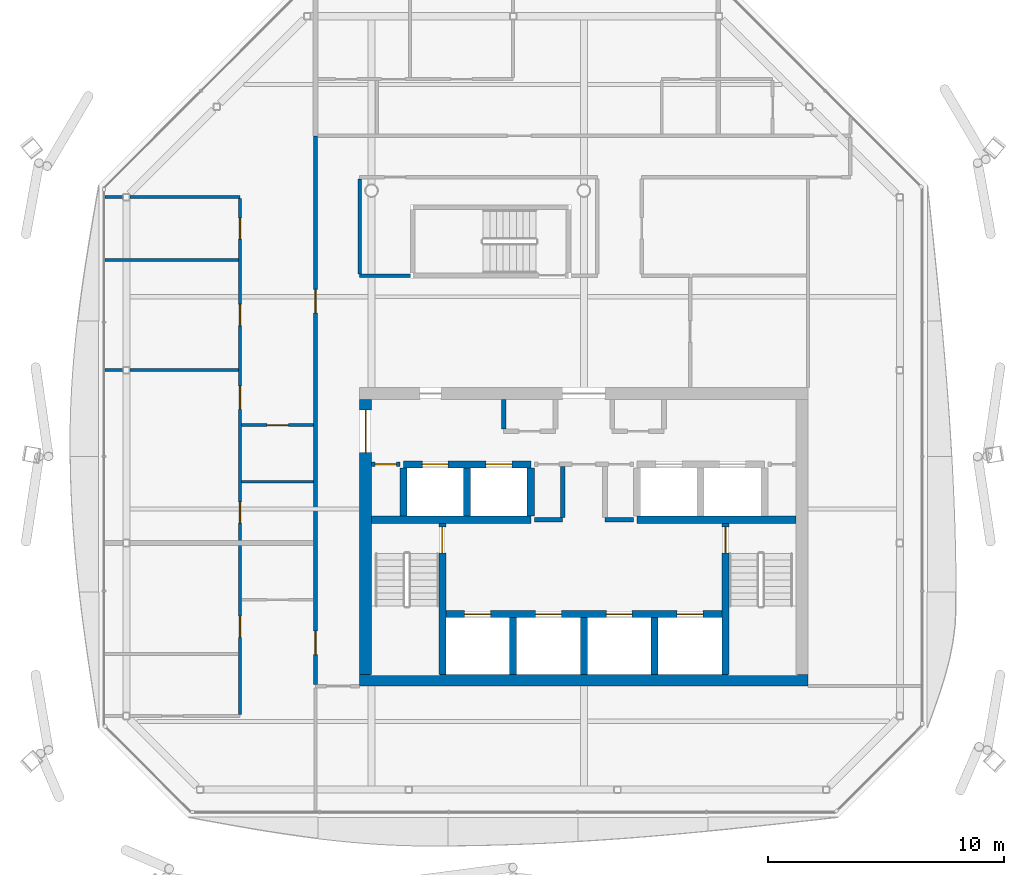
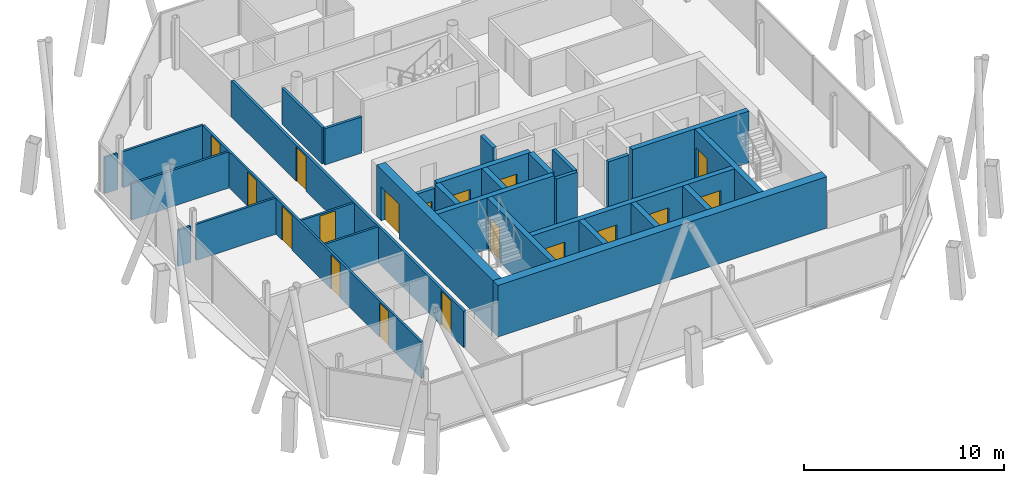
# One storey, part 10 of 16: 30 walls, 18 doors, 18 openings.
"""IFC4 building model written with IfcOpenShell, lengths in metres."""

from ifc_helpers import new_model, si_unit, direction, frame, frame_2d, origin, place, context, subcontext, project, spatial, rectangle, extrude, material, layer, layer_set, type_object, element, fill, save


model = new_model("IFC4")

# Units and contexts
model_context = context("Model", 3, precision=1e-05, world=origin(), true_north=direction((0.0, 1.0)))
body_context = subcontext(model_context, "Body", "Model", "MODEL_VIEW")
ifc_project = project(units=[si_unit("LENGTHUNIT", "METRE"), si_unit("AREAUNIT", "SQUARE_METRE"), si_unit("VOLUMEUNIT", "CUBIC_METRE"), si_unit("PLANEANGLEUNIT", "RADIAN"), si_unit("MASSUNIT", "GRAM", prefix="KILO")], contexts=[model_context])

# Site, building, storey
site_placement = place(None, origin())
site = spatial("IfcSite", under=ifc_project, at=site_placement, CompositionType="ELEMENT")
building_placement = place(site_placement, origin())
building = spatial("IfcBuilding", under=site, at=building_placement, Name="Tskaro Facet Tower", CompositionType="ELEMENT")
storey_placement = place(building_placement, frame((0.0, 0.0, 245.550048828125)))
storey = spatial("IfcBuildingStorey", under=building, at=storey_placement, Name="L64", CompositionType="ELEMENT", Elevation=245.550048828125)

# Wall, openings, doors
ifc_material_1 = material(Name="Concrete C60/75", Category="concrete")
ifc_layer_1 = layer(ifc_material_1, 0.300048828125, Name="Concrete C60/75")
ifc_layer_set_1 = layer_set([ifc_layer_1], Name="Concrete C60/75")
wall_type_1 = type_object("IfcWallType", Name="CORE-SHAFT", PredefinedType="SHEAR", material=ifc_layer_set_1)
wall_1_placement = place(storey_placement, frame((-5.85009765625, -8.949951171875, 0.0), z_axis=(0.0, 0.0, 1.0), x_axis=(1.0, 0.0, 0.0)))
wall_1 = element("IfcWall", 1, at=wall_1_placement, inside=storey, type_object=wall_type_1, Name="Shaft wall W006", PredefinedType="SHEAR", context=body_context, shape_type="SweptSolid", body=[
    extrude(rectangle(XDim=11.7001953125, YDim=0.300048828125, at=frame_2d((5.85009765625, 0.0))), origin(), (0.0, 0.0, 1.0), 3.14990234375),
])
opening_1_placement = place(wall_1_placement, frame((0.800048828125, 0.0, 0.0)))
opening_1 = element("IfcOpeningElement", 2, at=opening_1_placement, cuts=wall_1, Name="Opening LD-FF1", PredefinedType="OPENING", context=body_context, shape_type="SweptSolid", body=[
    extrude(rectangle(XDim=1.10009765625, YDim=2.10009765625, at=frame_2d((0.550048828125, 1.050048828125))), frame((0.0, 0.159912109375, 0.0), z_axis=(0.0, -1.0, 0.0), x_axis=(1.0, 0.0, 0.0)), (0.0, 0.0, 1.0), 0.320068359375),
])
opening_2_placement = place(wall_1_placement, frame((3.800048828125, 0.0, 0.0)))
opening_2 = element("IfcOpeningElement", 3, at=opening_2_placement, cuts=wall_1, Name="Opening LD-FF2", PredefinedType="OPENING", context=body_context, shape_type="SweptSolid", body=[
    extrude(rectangle(XDim=1.10009765625, YDim=2.10009765625, at=frame_2d((0.550048828125, 1.050048828125))), frame((0.0, 0.159912109375, 0.0), z_axis=(0.0, -1.0, 0.0), x_axis=(1.0, 0.0, 0.0)), (0.0, 0.0, 1.0), 0.320068359375),
])
opening_3_placement = place(wall_1_placement, frame((6.800048828125, 0.0, 0.0)))
opening_3 = element("IfcOpeningElement", 4, at=opening_3_placement, cuts=wall_1, Name="Opening LD-SV1", PredefinedType="OPENING", context=body_context, shape_type="SweptSolid", body=[
    extrude(rectangle(XDim=1.10009765625, YDim=2.10009765625, at=frame_2d((0.550048828125, 1.050048828125))), frame((0.0, 0.159912109375, 0.0), z_axis=(0.0, -1.0, 0.0), x_axis=(1.0, 0.0, 0.0)), (0.0, 0.0, 1.0), 0.320068359375),
])
opening_4_placement = place(wall_1_placement, frame((9.800048828125, 0.0, 0.0)))
opening_4 = element("IfcOpeningElement", 5, at=opening_4_placement, cuts=wall_1, Name="Opening LD-SV2", PredefinedType="OPENING", context=body_context, shape_type="SweptSolid", body=[
    extrude(rectangle(XDim=1.10009765625, YDim=2.10009765625, at=frame_2d((0.550048828125, 1.050048828125))), frame((0.0, 0.159912109375, 0.0), z_axis=(0.0, -1.0, 0.0), x_axis=(1.0, 0.0, 0.0)), (0.0, 0.0, 1.0), 0.320068359375),
])
ifc_material_2 = material(Name="Stainless steel", Category="steel")
door_type_1 = type_object("IfcDoorType", Name="D-LANDING", OperationType="NOTDEFINED", PredefinedType="DOOR", material=ifc_material_2)
door_1_placement = place(opening_1_placement, origin())
door_1 = element("IfcDoor", 6, at=door_1_placement, inside=storey, type_object=door_type_1, Name="Landing door FF1", OperationType="DOUBLE_DOOR_SLIDING", OverallHeight=2.10009765625, OverallWidth=1.10009765625, PredefinedType="DOOR", context=body_context, shape_type="SweptSolid", body=[
    extrude(rectangle(XDim=1.10009765625, YDim=2.10009765625, at=frame_2d((0.550048828125, 1.050048828125))), frame((0.0, 0.02490234375, 0.0), z_axis=(0.0, -1.0, 0.0), x_axis=(1.0, 0.0, 0.0)), (0.0, 0.0, 1.0), 0.050048828125),
])
fill(opening_1, door_1)
door_2_placement = place(opening_2_placement, origin())
door_2 = element("IfcDoor", 7, at=door_2_placement, inside=storey, type_object=door_type_1, Name="Landing door FF2", OperationType="DOUBLE_DOOR_SLIDING", OverallHeight=2.10009765625, OverallWidth=1.10009765625, PredefinedType="DOOR", context=body_context, shape_type="SweptSolid", body=[
    extrude(rectangle(XDim=1.10009765625, YDim=2.10009765625, at=frame_2d((0.550048828125, 1.050048828125))), frame((0.0, 0.02490234375, 0.0), z_axis=(0.0, -1.0, 0.0), x_axis=(1.0, 0.0, 0.0)), (0.0, 0.0, 1.0), 0.050048828125),
])
fill(opening_2, door_2)
door_3_placement = place(opening_3_placement, origin())
door_3 = element("IfcDoor", 8, at=door_3_placement, inside=storey, type_object=door_type_1, Name="Landing door SV1", OperationType="DOUBLE_DOOR_SLIDING", OverallHeight=2.10009765625, OverallWidth=1.10009765625, PredefinedType="DOOR", context=body_context, shape_type="SweptSolid", body=[
    extrude(rectangle(XDim=1.10009765625, YDim=2.10009765625, at=frame_2d((0.550048828125, 1.050048828125))), frame((0.0, 0.02490234375, 0.0), z_axis=(0.0, -1.0, 0.0), x_axis=(1.0, 0.0, 0.0)), (0.0, 0.0, 1.0), 0.050048828125),
])
fill(opening_3, door_3)
door_4_placement = place(opening_4_placement, origin())
door_4 = element("IfcDoor", 9, at=door_4_placement, inside=storey, type_object=door_type_1, Name="Landing door SV2", OperationType="DOUBLE_DOOR_SLIDING", OverallHeight=2.10009765625, OverallWidth=1.10009765625, PredefinedType="DOOR", context=body_context, shape_type="SweptSolid", body=[
    extrude(rectangle(XDim=1.10009765625, YDim=2.10009765625, at=frame_2d((0.550048828125, 1.050048828125))), frame((0.0, 0.02490234375, 0.0), z_axis=(0.0, -1.0, 0.0), x_axis=(1.0, 0.0, 0.0)), (0.0, 0.0, 1.0), 0.050048828125),
])
fill(opening_4, door_4)

# Walls
for number, where, z_axis, x_axis, name in (
    (10, (-9.0, -4.949951171875, 0.0), (0.0, 0.0, 1.0), (1.0, 0.0, 0.0), "Shaft wall W010"),
    (11, (2.25, -4.949951171875, 0.0), (0.0, 0.0, 1.0), (1.0, 0.0, 0.0), "Shaft wall W013"),
):
    element("IfcWall", number, at=place(storey_placement, frame(where, z_axis=z_axis, x_axis=x_axis)), inside=storey, type_object=wall_type_1, Name=name, PredefinedType="SHEAR", context=body_context, shape_type="SweptSolid", body=[
        extrude(rectangle(XDim=6.75, YDim=0.300048828125, at=frame_2d((3.375, 0.0))), origin(), (0.0, 0.0, 1.0), 3.14990234375),
    ])

# Wall, openings, doors
wall_2_placement = place(storey_placement, frame((-7.64990234375, -2.60009765625, 0.0), z_axis=(0.0, 0.0, 1.0), x_axis=(1.0, 0.0, 0.0)))
wall_2 = element("IfcWall", 12, at=wall_2_placement, inside=storey, type_object=wall_type_1, Name="Shaft wall W016", PredefinedType="SHEAR", context=body_context, shape_type="SweptSolid", body=[
    extrude(rectangle(XDim=5.39990234375, YDim=0.300048828125, at=frame_2d((2.699951171875, 0.0))), origin(), (0.0, 0.0, 1.0), 3.14990234375),
])
opening_5_placement = place(wall_2_placement, frame((0.800048828125, 0.0, 0.0)))
opening_5 = element("IfcOpeningElement", 13, at=opening_5_placement, cuts=wall_2, Name="Opening LD-HB1", PredefinedType="OPENING", context=body_context, shape_type="SweptSolid", body=[
    extrude(rectangle(XDim=1.10009765625, YDim=2.10009765625, at=frame_2d((0.550048828125, 1.050048828125))), frame((0.0, 0.159912109375, 0.0), z_axis=(0.0, -1.0, 0.0), x_axis=(1.0, 0.0, 0.0)), (0.0, 0.0, 1.0), 0.320068359375),
])
opening_6_placement = place(wall_2_placement, frame((3.5, 0.0, 0.0)))
opening_6 = element("IfcOpeningElement", 14, at=opening_6_placement, cuts=wall_2, Name="Opening LD-HB2", PredefinedType="OPENING", context=body_context, shape_type="SweptSolid", body=[
    extrude(rectangle(XDim=1.10009765625, YDim=2.10009765625, at=frame_2d((0.550048828125, 1.050048828125))), frame((0.0, 0.159912109375, 0.0), z_axis=(0.0, -1.0, 0.0), x_axis=(1.0, 0.0, 0.0)), (0.0, 0.0, 1.0), 0.320068359375),
])
door_5_placement = place(opening_5_placement, origin())
door_5 = element("IfcDoor", 15, at=door_5_placement, inside=storey, type_object=door_type_1, Name="Landing door HB1", OperationType="DOUBLE_DOOR_SLIDING", OverallHeight=2.10009765625, OverallWidth=1.10009765625, PredefinedType="DOOR", context=body_context, shape_type="SweptSolid", body=[
    extrude(rectangle(XDim=1.10009765625, YDim=2.10009765625, at=frame_2d((0.550048828125, 1.050048828125))), frame((0.0, 0.02490234375, 0.0), z_axis=(0.0, -1.0, 0.0), x_axis=(1.0, 0.0, 0.0)), (0.0, 0.0, 1.0), 0.050048828125),
])
fill(opening_5, door_5)
door_6_placement = place(opening_6_placement, origin())
door_6 = element("IfcDoor", 16, at=door_6_placement, inside=storey, type_object=door_type_1, Name="Landing door HB2", OperationType="DOUBLE_DOOR_SLIDING", OverallHeight=2.10009765625, OverallWidth=1.10009765625, PredefinedType="DOOR", context=body_context, shape_type="SweptSolid", body=[
    extrude(rectangle(XDim=1.10009765625, YDim=2.10009765625, at=frame_2d((0.550048828125, 1.050048828125))), frame((0.0, 0.02490234375, 0.0), z_axis=(0.0, -1.0, 0.0), x_axis=(1.0, 0.0, 0.0)), (0.0, 0.0, 1.0), 0.050048828125),
])
fill(opening_6, door_6)

# Wall
wall_3_placement = place(storey_placement, frame((-7.64990234375, -4.800048828125, 0.0), z_axis=(0.0, 0.0, 1.0), x_axis=(0.0, 1.0, 0.0)))
element("IfcWall", 17, at=wall_3_placement, inside=storey, type_object=wall_type_1, Name="Shaft wall W045", PredefinedType="SHEAR", context=body_context, shape_type="SweptSolid", body=[
    extrude(rectangle(XDim=2.050048828125, YDim=0.300048828125, at=frame_2d((1.02490234375, 0.0))), origin(), (0.0, 0.0, 1.0), 3.14990234375),
])

# Wall, opening, door
wall_4_placement = place(storey_placement, frame((-6.0, -11.5, 0.0), z_axis=(0.0, 0.0, 1.0), x_axis=(0.0, 1.0, 0.0)))
wall_4 = element("IfcWall", 18, at=wall_4_placement, inside=storey, type_object=wall_type_1, Name="Shaft wall W048", PredefinedType="SHEAR", context=body_context, shape_type="SweptSolid", body=[
    extrude(rectangle(XDim=6.39990234375, YDim=0.300048828125, at=frame_2d((3.199951171875, 0.0))), origin(), (0.0, 0.0, 1.0), 3.14990234375),
])
opening_7_placement = place(wall_4_placement, frame((5.14990234375, 0.0, 0.0)))
opening_7 = element("IfcOpeningElement", 19, at=opening_7_placement, cuts=wall_4, Name="Opening ST-1-D1", PredefinedType="OPENING", context=body_context, shape_type="SweptSolid", body=[
    extrude(rectangle(XDim=1.10009765625, YDim=2.10009765625, at=frame_2d((0.550048828125, 1.050048828125))), frame((0.0, 0.159912109375, 0.0), z_axis=(0.0, -1.0, 0.0), x_axis=(1.0, 0.0, 0.0)), (0.0, 0.0, 1.0), 0.320068359375),
])
ifc_material_3 = material(Name="Steel", Category="steel")
door_type_2 = type_object("IfcDoorType", Name="D-STAIR", OperationType="NOTDEFINED", PredefinedType="DOOR", material=ifc_material_3)
door_7_placement = place(opening_7_placement, origin())
door_7 = element("IfcDoor", 20, at=door_7_placement, inside=storey, type_object=door_type_2, Name="Stair door 1", OperationType="SINGLE_SWING_LEFT", OverallHeight=2.10009765625, OverallWidth=1.10009765625, PredefinedType="DOOR", context=body_context, shape_type="SweptSolid", body=[
    extrude(rectangle(XDim=1.10009765625, YDim=2.10009765625, at=frame_2d((0.550048828125, 1.050048828125))), frame((0.0, 0.02490234375, 0.0), z_axis=(0.0, -1.0, 0.0), x_axis=(1.0, 0.0, 0.0)), (0.0, 0.0, 1.0), 0.050048828125),
])
fill(opening_7, door_7)

# Walls
wall_5_placement = place(storey_placement, frame((-4.949951171875, -4.800048828125, 0.0), z_axis=(0.0, 0.0, 1.0), x_axis=(0.0, 1.0, 0.0)))
element("IfcWall", 21, at=wall_5_placement, inside=storey, type_object=wall_type_1, Name="Shaft wall W049", PredefinedType="SHEAR", context=body_context, shape_type="SweptSolid", body=[
    extrude(rectangle(XDim=2.050048828125, YDim=0.300048828125, at=frame_2d((1.02490234375, 0.0))), origin(), (0.0, 0.0, 1.0), 3.14990234375),
])
wall_6_placement = place(storey_placement, frame((-3.0, -11.5, 0.0), z_axis=(0.0, 0.0, 1.0), x_axis=(0.0, 1.0, 0.0)))
element("IfcWall", 22, at=wall_6_placement, inside=storey, type_object=wall_type_1, Name="Shaft wall W051", PredefinedType="SHEAR", context=body_context, shape_type="SweptSolid", body=[
    extrude(rectangle(XDim=2.39990234375, YDim=0.300048828125, at=frame_2d((1.199951171875, 0.0))), origin(), (0.0, 0.0, 1.0), 3.14990234375),
])
wall_7_placement = place(storey_placement, frame((-2.25, -4.800048828125, 0.0), z_axis=(0.0, 0.0, 1.0), x_axis=(0.0, 1.0, 0.0)))
element("IfcWall", 23, at=wall_7_placement, inside=storey, type_object=wall_type_1, Name="Shaft wall W054", PredefinedType="SHEAR", context=body_context, shape_type="SweptSolid", body=[
    extrude(rectangle(XDim=2.050048828125, YDim=0.300048828125, at=frame_2d((1.02490234375, 0.0))), origin(), (0.0, 0.0, 1.0), 3.14990234375),
])
for number, where, z_axis, x_axis, name in (
    (24, (0.0, -11.5, 0.0), (0.0, 0.0, 1.0), (0.0, 1.0, 0.0), "Shaft wall W058"),
    (25, (3.0, -11.5, 0.0), (0.0, 0.0, 1.0), (0.0, 1.0, 0.0), "Shaft wall W064"),
):
    element("IfcWall", number, at=place(storey_placement, frame(where, z_axis=z_axis, x_axis=x_axis)), inside=storey, type_object=wall_type_1, Name=name, PredefinedType="SHEAR", context=body_context, shape_type="SweptSolid", body=[
        extrude(rectangle(XDim=2.39990234375, YDim=0.300048828125, at=frame_2d((1.199951171875, 0.0))), origin(), (0.0, 0.0, 1.0), 3.14990234375),
    ])

# Wall, opening, door
wall_8_placement = place(storey_placement, frame((6.0, -5.10009765625, 0.0), z_axis=(0.0, 0.0, 1.0), x_axis=(0.0, -1.0, 0.0)))
wall_8 = element("IfcWall", 26, at=wall_8_placement, inside=storey, type_object=wall_type_1, Name="Shaft wall W071", PredefinedType="SHEAR", context=body_context, shape_type="SweptSolid", body=[
    extrude(rectangle(XDim=6.39990234375, YDim=0.300048828125, at=frame_2d((3.199951171875, 0.0))), origin(), (0.0, 0.0, 1.0), 3.14990234375),
])
opening_8_placement = place(wall_8_placement, frame((0.14990234375, 0.0, 0.0)))
opening_8 = element("IfcOpeningElement", 27, at=opening_8_placement, cuts=wall_8, Name="Opening ST-2-D1", PredefinedType="OPENING", context=body_context, shape_type="SweptSolid", body=[
    extrude(rectangle(XDim=1.10009765625, YDim=2.10009765625, at=frame_2d((0.550048828125, 1.050048828125))), frame((0.0, 0.159912109375, 0.0), z_axis=(0.0, -1.0, 0.0), x_axis=(1.0, 0.0, 0.0)), (0.0, 0.0, 1.0), 0.320068359375),
])
door_8_placement = place(opening_8_placement, origin())
door_8 = element("IfcDoor", 28, at=door_8_placement, inside=storey, type_object=door_type_2, Name="Stair door 2", OperationType="SINGLE_SWING_RIGHT", OverallHeight=2.10009765625, OverallWidth=1.10009765625, PredefinedType="DOOR", context=body_context, shape_type="SweptSolid", body=[
    extrude(rectangle(XDim=1.10009765625, YDim=2.10009765625, at=frame_2d((0.550048828125, 1.050048828125))), frame((0.0, 0.02490234375, 0.0), z_axis=(0.0, -1.0, 0.0), x_axis=(1.0, 0.0, 0.0)), (0.0, 0.0, 1.0), 0.050048828125),
])
fill(opening_8, door_8)

# Walls
ifc_material_4 = material(Name="Concrete C20/25", Category="concrete")
ifc_layer_2 = layer(ifc_material_4, 0.199951171875, Name="Concrete C20/25")
ifc_layer_set_2 = layer_set([ifc_layer_2], Name="Concrete C20/25")
wall_type_2 = type_object("IfcWallType", Name="CORE-WALL", PredefinedType="SOLIDWALL", material=ifc_layer_set_2)
for number, where, z_axis, x_axis, name in (
    (29, (-2.10009765625, -4.949951171875, 0.0), (0.0, 0.0, 1.0), (1.0, 0.0, 0.0), "Core room wall W011"),
    (30, (0.89990234375, -4.949951171875, 0.0), (0.0, 0.0, 1.0), (1.0, 0.0, 0.0), "Core room wall W012"),
):
    element("IfcWall", number, at=place(storey_placement, frame(where, z_axis=z_axis, x_axis=x_axis)), inside=storey, type_object=wall_type_2, Name=name, PredefinedType="SOLIDWALL", context=body_context, shape_type="SweptSolid", body=[
        extrude(rectangle(XDim=1.2001953125, YDim=0.199951171875, at=frame_2d((0.60009765625, 0.0))), origin(), (0.0, 0.0, 1.0), 2.849853515625),
    ])

# Wall, opening, door
wall_9_placement = place(storey_placement, frame((-7.800048828125, -2.60009765625, 0.0), z_axis=(0.0, 0.0, 1.0), x_axis=(-1.0, 0.0, 0.0)))
wall_9 = element("IfcWall", 31, at=wall_9_placement, inside=storey, type_object=wall_type_2, Name="Core room wall W015", PredefinedType="SOLIDWALL", context=body_context, shape_type="SweptSolid", body=[
    extrude(rectangle(XDim=1.199951171875, YDim=0.199951171875, at=frame_2d((0.60009765625, 0.0))), origin(), (0.0, 0.0, 1.0), 2.849853515625),
])
opening_9_placement = place(wall_9_placement, frame((0.14990234375, 0.0, 0.0)))
opening_9 = element("IfcOpeningElement", 32, at=opening_9_placement, cuts=wall_9, Name="Opening T19-D07", PredefinedType="OPENING", context=body_context, shape_type="SweptSolid", body=[
    extrude(rectangle(XDim=0.89990234375, YDim=2.10009765625, at=frame_2d((0.449951171875, 1.050048828125))), frame((0.0, 0.10986328125, 0.0), z_axis=(0.0, -1.0, 0.0), x_axis=(1.0, 0.0, 0.0)), (0.0, 0.0, 1.0), 0.219970703125),
])
ifc_material_5 = material(Name="Timber", Category="wood")
door_type_3 = type_object("IfcDoorType", Name="D-ROOM", OperationType="NOTDEFINED", PredefinedType="DOOR", material=ifc_material_5)
door_9_placement = place(opening_9_placement, origin())
door_9 = element("IfcDoor", 33, at=door_9_placement, inside=storey, type_object=door_type_3, Name="Door T19-D07", OperationType="SINGLE_SWING_RIGHT", OverallHeight=2.10009765625, OverallWidth=0.89990234375, PredefinedType="DOOR", context=body_context, shape_type="SweptSolid", body=[
    extrude(rectangle(XDim=0.89990234375, YDim=2.10009765625, at=frame_2d((0.449951171875, 1.050048828125))), frame((0.0, 0.02490234375, 0.0), z_axis=(0.0, -1.0, 0.0), x_axis=(1.0, 0.0, 0.0)), (0.0, 0.0, 1.0), 0.050048828125),
])
fill(opening_9, door_9)

# Walls
wall_10_placement = place(storey_placement, frame((-3.39990234375, -1.10009765625, 0.0), z_axis=(0.0, 0.0, 1.0), x_axis=(0.0, 1.0, 0.0)))
element("IfcWall", 34, at=wall_10_placement, inside=storey, type_object=wall_type_2, Name="Core room wall W050", PredefinedType="SOLIDWALL", context=body_context, shape_type="SweptSolid", body=[
    extrude(rectangle(XDim=1.25, YDim=0.199951171875, at=frame_2d((0.625, 0.0))), origin(), (0.0, 0.0, 1.0), 2.849853515625),
])
wall_11_placement = place(storey_placement, frame((-0.89990234375, -4.85009765625, 0.0), z_axis=(0.0, 0.0, 1.0), x_axis=(0.0, 1.0, 0.0)))
element("IfcWall", 35, at=wall_11_placement, inside=storey, type_object=wall_type_2, Name="Core room wall W056", PredefinedType="SOLIDWALL", context=body_context, shape_type="SweptSolid", body=[
    extrude(rectangle(XDim=2.150146484375, YDim=0.199951171875, at=frame_2d((1.0751953125, 0.0))), origin(), (0.0, 0.0, 1.0), 2.849853515625),
])
ifc_material_6 = material(Name="Concrete C40/50", Category="concrete")
ifc_layer_3 = layer(ifc_material_6, 0.5, Name="Concrete C40/50")
ifc_layer_set_3 = layer_set([ifc_layer_3], Name="Concrete C40/50")
wall_type_3 = type_object("IfcWallType", Name="Core wall 500", PredefinedType="SHEAR", material=ifc_layer_set_3)
wall_12_placement = place(storey_placement, frame((-9.5, -11.75, 0.0), z_axis=(0.0, 0.0, 1.0), x_axis=(1.0, 0.0, 0.0)))
element("IfcWall", 36, at=wall_12_placement, inside=storey, type_object=wall_type_3, Name="Core wall CW-Z3S", PredefinedType="SHEAR", context=body_context, shape_type="SweptSolid", body=[
    extrude(rectangle(XDim=19.0, YDim=0.5, at=frame_2d((9.5, 0.0))), origin(), (0.0, 0.0, 1.0), 3.14990234375),
])

# Wall, opening, door
wall_13_placement = place(storey_placement, frame((-9.25, -11.5, 0.0), z_axis=(0.0, 0.0, 1.0), x_axis=(0.0, 1.0, 0.0)))
wall_13 = element("IfcWall", 37, at=wall_13_placement, inside=storey, type_object=wall_type_3, Name="Core wall CW-Z3W", PredefinedType="SHEAR", context=body_context, shape_type="SweptSolid", body=[
    extrude(rectangle(XDim=11.64990234375, YDim=0.5, at=frame_2d((5.824951171875, 0.0))), origin(), (0.0, 0.0, 1.0), 3.14990234375),
])
opening_10_placement = place(wall_13_placement, frame((9.39990234375, 0.0, 0.0)))
opening_10 = element("IfcOpeningElement", 38, at=opening_10_placement, cuts=wall_13, Name="Opening T19-D11", PredefinedType="OPENING", context=body_context, shape_type="SweptSolid", body=[
    extrude(rectangle(XDim=1.800048828125, YDim=2.10009765625, at=frame_2d((0.89990234375, 1.050048828125))), frame((0.0, 0.260009765625, 0.0), z_axis=(0.0, -1.0, 0.0), x_axis=(1.0, 0.0, 0.0)), (0.0, 0.0, 1.0), 0.52001953125),
])
door_type_4 = type_object("IfcDoorType", Name="D-CORE-PAIR", OperationType="NOTDEFINED", PredefinedType="DOOR", material=ifc_material_3)
door_10_placement = place(opening_10_placement, origin())
door_10 = element("IfcDoor", 39, at=door_10_placement, inside=storey, type_object=door_type_4, Name="Door T19-D11", OperationType="DOUBLE_DOOR_SINGLE_SWING", OverallHeight=2.10009765625, OverallWidth=1.800048828125, PredefinedType="DOOR", context=body_context, shape_type="SweptSolid", body=[
    extrude(rectangle(XDim=1.800048828125, YDim=2.10009765625, at=frame_2d((0.89990234375, 1.050048828125))), frame((0.0, 0.02490234375, 0.0), z_axis=(0.0, -1.0, 0.0), x_axis=(1.0, 0.0, 0.0)), (0.0, 0.0, 1.0), 0.050048828125),
])
fill(opening_10, door_10)

# Wall
ifc_material_7 = material(Name="Gypsum board on steel studs", Category="steel")
ifc_layer_4 = layer(ifc_material_7, 0.125, Name="Gypsum board on steel studs")
ifc_layer_set_4 = layer_set([ifc_layer_4], Name="Gypsum board on steel studs")
wall_type_4 = type_object("IfcWallType", Name="PART", PredefinedType="PARTITIONING", material=ifc_layer_set_4)
wall_14_placement = place(storey_placement, frame((-14.512451171875, -3.340087890625, 0.0), z_axis=(0.0, 0.0, 1.0), x_axis=(1.0, 0.0, 0.0)))
element("IfcWall", 40, at=wall_14_placement, inside=storey, type_object=wall_type_4, Name="Partition W014", PredefinedType="PARTITIONING", context=body_context, shape_type="SweptSolid", body=[
    extrude(rectangle(XDim=3.0625, YDim=0.125, at=frame_2d((1.53125, 0.0))), origin(), (0.0, 0.0, 1.0), 2.2099609375),
])

# Wall, opening, door
wall_15_placement = place(storey_placement, frame((-11.449951171875, -0.93994140625, 0.0), z_axis=(0.0, 0.0, 1.0), x_axis=(-1.0, 0.0, 0.0)))
wall_15 = element("IfcWall", 41, at=wall_15_placement, inside=storey, type_object=wall_type_4, Name="Partition W022", PredefinedType="PARTITIONING", context=body_context, shape_type="SweptSolid", body=[
    extrude(rectangle(XDim=3.0625, YDim=0.125, at=frame_2d((1.53125, 0.0))), origin(), (0.0, 0.0, 1.0), 2.2099609375),
])
opening_11_placement = place(wall_15_placement, frame((1.074951171875, 0.0, 0.0)))
opening_11 = element("IfcOpeningElement", 42, at=opening_11_placement, cuts=wall_15, Name="Opening T19-D14", PredefinedType="OPENING", context=body_context, shape_type="SweptSolid", body=[
    extrude(rectangle(XDim=0.89990234375, YDim=2.10009765625, at=frame_2d((0.449951171875, 1.050048828125))), frame((0.0, 0.072509765625, 0.0), z_axis=(0.0, -1.0, 0.0), x_axis=(1.0, 0.0, 0.0)), (0.0, 0.0, 1.0), 0.14501953125),
])
door_11_placement = place(opening_11_placement, origin())
door_11 = element("IfcDoor", 43, at=door_11_placement, inside=storey, type_object=door_type_3, Name="Door T19-D14", OperationType="SINGLE_SWING_RIGHT", OverallHeight=2.10009765625, OverallWidth=0.89990234375, PredefinedType="DOOR", context=body_context, shape_type="SweptSolid", body=[
    extrude(rectangle(XDim=0.89990234375, YDim=2.10009765625, at=frame_2d((0.449951171875, 1.050048828125))), frame((0.0, 0.02490234375, 0.0), z_axis=(0.0, -1.0, 0.0), x_axis=(1.0, 0.0, 0.0)), (0.0, 0.0, 1.0), 0.050048828125),
])
fill(opening_11, door_11)

# Walls
wall_16_placement = place(storey_placement, frame((-20.2900390625, 1.39501953125, 0.0), z_axis=(0.0, 0.0, 1.0), x_axis=(1.0, 0.0, 0.0)))
element("IfcWall", 44, at=wall_16_placement, inside=storey, type_object=wall_type_4, Name="Partition W023", PredefinedType="PARTITIONING", context=body_context, shape_type="SweptSolid", body=[
    extrude(rectangle(XDim=0.7490234375, YDim=0.125, at=frame_2d((0.37451171875, 0.0))), origin(), (0.0, 0.0, 1.0), 2.2099609375),
])
wall_17_placement = place(storey_placement, frame((-19.240966796875, 1.39501953125, 0.0), z_axis=(0.0, 0.0, 1.0), x_axis=(1.0, 0.0, 0.0)))
element("IfcWall", 45, at=wall_17_placement, inside=storey, type_object=wall_type_4, Name="Partition W024", PredefinedType="PARTITIONING", context=body_context, shape_type="SweptSolid", body=[
    extrude(rectangle(XDim=4.603515625, YDim=0.125, at=frame_2d((2.3017578125, 0.0))), origin(), (0.0, 0.0, 1.0), 2.2099609375),
])
wall_18_placement = place(storey_placement, frame((-20.2900390625, 6.06005859375, 0.0), z_axis=(0.0, 0.0, 1.0), x_axis=(1.0, 0.0, 0.0)))
element("IfcWall", 46, at=wall_18_placement, inside=storey, type_object=wall_type_4, Name="Partition W030", PredefinedType="PARTITIONING", context=body_context, shape_type="SweptSolid", body=[
    extrude(rectangle(XDim=5.652587890625, YDim=0.125, at=frame_2d((2.826171875, 0.0))), origin(), (0.0, 0.0, 1.0), 2.2099609375),
])
wall_19_placement = place(storey_placement, frame((-20.2900390625, 8.72509765625, 0.0), z_axis=(0.0, 0.0, 1.0), x_axis=(1.0, 0.0, 0.0)))
element("IfcWall", 47, at=wall_19_placement, inside=storey, type_object=wall_type_4, Name="Partition W032", PredefinedType="PARTITIONING", context=body_context, shape_type="SweptSolid", body=[
    extrude(rectangle(XDim=0.7490234375, YDim=0.125, at=frame_2d((0.37451171875, 0.0))), origin(), (0.0, 0.0, 1.0), 2.2099609375),
])
wall_20_placement = place(storey_placement, frame((-19.240966796875, 8.72509765625, 0.0), z_axis=(0.0, 0.0, 1.0), x_axis=(1.0, 0.0, 0.0)))
element("IfcWall", 48, at=wall_20_placement, inside=storey, type_object=wall_type_4, Name="Partition W033", PredefinedType="PARTITIONING", context=body_context, shape_type="SweptSolid", body=[
    extrude(rectangle(XDim=4.666015625, YDim=0.125, at=frame_2d((2.3330078125, 0.0))), origin(), (0.0, 0.0, 1.0), 2.2099609375),
])

# Wall, openings, doors
wall_21_placement = place(storey_placement, frame((-14.574951171875, -13.20751953125, 0.0), z_axis=(0.0, 0.0, 1.0), x_axis=(0.0, 1.0, 0.0)))
wall_21 = element("IfcWall", 49, at=wall_21_placement, inside=storey, type_object=wall_type_4, Name="Partition W039", PredefinedType="PARTITIONING", context=body_context, shape_type="SweptSolid", body=[
    extrude(rectangle(XDim=21.8701171875, YDim=0.125, at=frame_2d((10.93505859375, 0.0))), origin(), (0.0, 0.0, 1.0), 2.2099609375),
])
opening_12_placement = place(wall_21_placement, frame((3.267578125, 0.0, 0.0)))
opening_12 = element("IfcOpeningElement", 50, at=opening_12_placement, cuts=wall_21, Name="Opening T19-D04", PredefinedType="OPENING", context=body_context, shape_type="SweptSolid", body=[
    extrude(rectangle(XDim=0.89990234375, YDim=2.10009765625, at=frame_2d((0.449951171875, 1.050048828125))), frame((0.0, 0.072509765625, 0.0), z_axis=(0.0, -1.0, 0.0), x_axis=(1.0, 0.0, 0.0)), (0.0, 0.0, 1.0), 0.14501953125),
])
opening_13_placement = place(wall_21_placement, frame((16.485107421875, 0.0, 0.0)))
opening_13 = element("IfcOpeningElement", 51, at=opening_13_placement, cuts=wall_21, Name="Opening T19-D19", PredefinedType="OPENING", context=body_context, shape_type="SweptSolid", body=[
    extrude(rectangle(XDim=0.89990234375, YDim=2.10009765625, at=frame_2d((0.449951171875, 1.050048828125))), frame((0.0, 0.072509765625, 0.0), z_axis=(0.0, -1.0, 0.0), x_axis=(1.0, 0.0, 0.0)), (0.0, 0.0, 1.0), 0.14501953125),
])
opening_14_placement = place(wall_21_placement, frame((12.93505859375, 0.0, 0.0)))
opening_14 = element("IfcOpeningElement", 52, at=opening_14_placement, cuts=wall_21, Name="Opening T19-D15", PredefinedType="OPENING", context=body_context, shape_type="SweptSolid", body=[
    extrude(rectangle(XDim=1.0, YDim=2.10009765625, at=frame_2d((0.5, 1.050048828125))), frame((0.0, 0.072509765625, 0.0), z_axis=(0.0, -1.0, 0.0), x_axis=(1.0, 0.0, 0.0)), (0.0, 0.0, 1.0), 0.14501953125),
])
opening_15_placement = place(wall_21_placement, frame((20.14990234375, 0.0, 0.0)))
opening_15 = element("IfcOpeningElement", 53, at=opening_15_placement, cuts=wall_21, Name="Opening T19-D21", PredefinedType="OPENING", context=body_context, shape_type="SweptSolid", body=[
    extrude(rectangle(XDim=0.89990234375, YDim=2.10009765625, at=frame_2d((0.449951171875, 1.050048828125))), frame((0.0, 0.072509765625, 0.0), z_axis=(0.0, -1.0, 0.0), x_axis=(1.0, 0.0, 0.0)), (0.0, 0.0, 1.0), 0.14501953125),
])
opening_16_placement = place(wall_21_placement, frame((8.117431640625, 0.0, 0.0)))
opening_16 = element("IfcOpeningElement", 54, at=opening_16_placement, cuts=wall_21, Name="Opening T19-D06", PredefinedType="OPENING", context=body_context, shape_type="SweptSolid", body=[
    extrude(rectangle(XDim=0.89990234375, YDim=2.10009765625, at=frame_2d((0.449951171875, 1.050048828125))), frame((0.0, 0.072509765625, 0.0), z_axis=(0.0, -1.0, 0.0), x_axis=(1.0, 0.0, 0.0)), (0.0, 0.0, 1.0), 0.14501953125),
])
door_12_placement = place(opening_12_placement, origin())
door_12 = element("IfcDoor", 55, at=door_12_placement, inside=storey, type_object=door_type_3, Name="Door T19-D04", OperationType="SINGLE_SWING_LEFT", OverallHeight=2.10009765625, OverallWidth=0.89990234375, PredefinedType="DOOR", context=body_context, shape_type="SweptSolid", body=[
    extrude(rectangle(XDim=0.89990234375, YDim=2.10009765625, at=frame_2d((0.449951171875, 1.050048828125))), frame((0.0, 0.02490234375, 0.0), z_axis=(0.0, -1.0, 0.0), x_axis=(1.0, 0.0, 0.0)), (0.0, 0.0, 1.0), 0.050048828125),
])
fill(opening_12, door_12)
door_13_placement = place(opening_13_placement, origin())
door_13 = element("IfcDoor", 56, at=door_13_placement, inside=storey, type_object=door_type_3, Name="Door T19-D19", OperationType="SINGLE_SWING_RIGHT", OverallHeight=2.10009765625, OverallWidth=0.89990234375, PredefinedType="DOOR", context=body_context, shape_type="SweptSolid", body=[
    extrude(rectangle(XDim=0.89990234375, YDim=2.10009765625, at=frame_2d((0.449951171875, 1.050048828125))), frame((0.0, 0.02490234375, 0.0), z_axis=(0.0, -1.0, 0.0), x_axis=(1.0, 0.0, 0.0)), (0.0, 0.0, 1.0), 0.050048828125),
])
fill(opening_13, door_13)
door_14_placement = place(opening_15_placement, origin())
door_14 = element("IfcDoor", 57, at=door_14_placement, inside=storey, type_object=door_type_3, Name="Door T19-D21", OperationType="SINGLE_SWING_RIGHT", OverallHeight=2.10009765625, OverallWidth=0.89990234375, PredefinedType="DOOR", context=body_context, shape_type="SweptSolid", body=[
    extrude(rectangle(XDim=0.89990234375, YDim=2.10009765625, at=frame_2d((0.449951171875, 1.050048828125))), frame((0.0, 0.02490234375, 0.0), z_axis=(0.0, -1.0, 0.0), x_axis=(1.0, 0.0, 0.0)), (0.0, 0.0, 1.0), 0.050048828125),
])
fill(opening_15, door_14)
door_15_placement = place(opening_16_placement, origin())
door_15 = element("IfcDoor", 58, at=door_15_placement, inside=storey, type_object=door_type_3, Name="Door T19-D06", OperationType="SINGLE_SWING_LEFT", OverallHeight=2.10009765625, OverallWidth=0.89990234375, PredefinedType="DOOR", context=body_context, shape_type="SweptSolid", body=[
    extrude(rectangle(XDim=0.89990234375, YDim=2.10009765625, at=frame_2d((0.449951171875, 1.050048828125))), frame((0.0, 0.02490234375, 0.0), z_axis=(0.0, -1.0, 0.0), x_axis=(1.0, 0.0, 0.0)), (0.0, 0.0, 1.0), 0.050048828125),
])
fill(opening_16, door_15)
door_type_5 = type_object("IfcDoorType", Name="D-ROOM-WIDE", OperationType="NOTDEFINED", PredefinedType="DOOR", material=ifc_material_5)
door_16_placement = place(opening_14_placement, origin())
door_16 = element("IfcDoor", 59, at=door_16_placement, inside=storey, type_object=door_type_5, Name="Door T19-D15", OperationType="SINGLE_SWING_LEFT", OverallHeight=2.10009765625, OverallWidth=1.0, PredefinedType="DOOR", context=body_context, shape_type="SweptSolid", body=[
    extrude(rectangle(XDim=1.0, YDim=2.10009765625, at=frame_2d((0.5, 1.050048828125))), frame((0.0, 0.02490234375, 0.0), z_axis=(0.0, -1.0, 0.0), x_axis=(1.0, 0.0, 0.0)), (0.0, 0.0, 1.0), 0.050048828125),
])
fill(opening_14, door_16)

# Wall
ifc_layer_5 = layer(ifc_material_7, 0.14990234375, Name="Gypsum board on steel studs")
ifc_layer_set_5 = layer_set([ifc_layer_5], Name="Gypsum board on steel studs")
wall_type_5 = type_object("IfcWallType", Name="PART-CORR", PredefinedType="PARTITIONING", material=ifc_layer_set_5)
wall_22_placement = place(storey_placement, frame((-9.5, 5.39990234375, 0.0), z_axis=(0.0, 0.0, 1.0), x_axis=(1.0, 0.0, 0.0)))
element("IfcWall", 60, at=wall_22_placement, inside=storey, type_object=wall_type_5, Name="Corridor wall W025", PredefinedType="PARTITIONING", context=body_context, shape_type="SweptSolid", body=[
    extrude(rectangle(XDim=2.14990234375, YDim=0.14990234375, at=frame_2d((1.074951171875, 0.0))), origin(), (0.0, 0.0, 1.0), 2.2099609375),
])

# Wall, openings, doors
wall_23_placement = place(storey_placement, frame((-11.375, -11.925048828125, 0.0), z_axis=(0.0, 0.0, 1.0), x_axis=(0.0, 1.0, 0.0)))
wall_23 = element("IfcWall", 61, at=wall_23_placement, inside=storey, type_object=wall_type_5, Name="Corridor wall W041", PredefinedType="PARTITIONING", context=body_context, shape_type="SweptSolid", body=[
    extrude(rectangle(XDim=23.25, YDim=0.14990234375, at=frame_2d((11.625, 0.0))), origin(), (0.0, 0.0, 1.0), 2.2099609375),
])
opening_17_placement = place(wall_23_placement, frame((1.2548828125, 0.0, 0.0)))
opening_17 = element("IfcOpeningElement", 62, at=opening_17_placement, cuts=wall_23, Name="Opening T19-D03", PredefinedType="OPENING", context=body_context, shape_type="SweptSolid", body=[
    extrude(rectangle(XDim=1.0, YDim=2.10009765625, at=frame_2d((0.5, 1.050048828125))), frame((0.0, 0.0849609375, 0.0), z_axis=(0.0, -1.0, 0.0), x_axis=(1.0, 0.0, 0.0)), (0.0, 0.0, 1.0), 0.169921875),
])
opening_18_placement = place(wall_23_placement, frame((15.742431640625, 0.0, 0.0)))
opening_18 = element("IfcOpeningElement", 63, at=opening_18_placement, cuts=wall_23, Name="Opening T19-D20", PredefinedType="OPENING", context=body_context, shape_type="SweptSolid", body=[
    extrude(rectangle(XDim=1.0, YDim=2.10009765625, at=frame_2d((0.5, 1.050048828125))), frame((0.0, 0.0849609375, 0.0), z_axis=(0.0, -1.0, 0.0), x_axis=(1.0, 0.0, 0.0)), (0.0, 0.0, 1.0), 0.169921875),
])
door_type_6 = type_object("IfcDoorType", Name="D-FLAT-ENTRY", OperationType="NOTDEFINED", PredefinedType="DOOR", material=ifc_material_5)
door_17_placement = place(opening_17_placement, origin())
door_17 = element("IfcDoor", 64, at=door_17_placement, inside=storey, type_object=door_type_6, Name="Door T19-D03", OperationType="SINGLE_SWING_LEFT", OverallHeight=2.10009765625, OverallWidth=1.0, PredefinedType="DOOR", context=body_context, shape_type="SweptSolid", body=[
    extrude(rectangle(XDim=1.0, YDim=2.10009765625, at=frame_2d((0.5, 1.050048828125))), frame((0.0, 0.02490234375, 0.0), z_axis=(0.0, -1.0, 0.0), x_axis=(1.0, 0.0, 0.0)), (0.0, 0.0, 1.0), 0.050048828125),
])
fill(opening_17, door_17)
door_18_placement = place(opening_18_placement, origin())
door_18 = element("IfcDoor", 65, at=door_18_placement, inside=storey, type_object=door_type_6, Name="Door T19-D20", OperationType="SINGLE_SWING_RIGHT", OverallHeight=2.10009765625, OverallWidth=1.0, PredefinedType="DOOR", context=body_context, shape_type="SweptSolid", body=[
    extrude(rectangle(XDim=1.0, YDim=2.10009765625, at=frame_2d((0.5, 1.050048828125))), frame((0.0, 0.02490234375, 0.0), z_axis=(0.0, -1.0, 0.0), x_axis=(1.0, 0.0, 0.0)), (0.0, 0.0, 1.0), 0.050048828125),
])
fill(opening_18, door_18)

# Wall
wall_24_placement = place(storey_placement, frame((-9.5, 5.47509765625, 0.0), z_axis=(0.0, 0.0, 1.0), x_axis=(0.0, 1.0, 0.0)))
element("IfcWall", 66, at=wall_24_placement, inside=storey, type_object=wall_type_5, Name="Corridor wall W043", PredefinedType="PARTITIONING", context=body_context, shape_type="SweptSolid", body=[
    extrude(rectangle(XDim=4.02490234375, YDim=0.14990234375, at=frame_2d((2.012451171875, 0.0))), origin(), (0.0, 0.0, 1.0), 2.2099609375),
])

save(model, "model.ifc")
